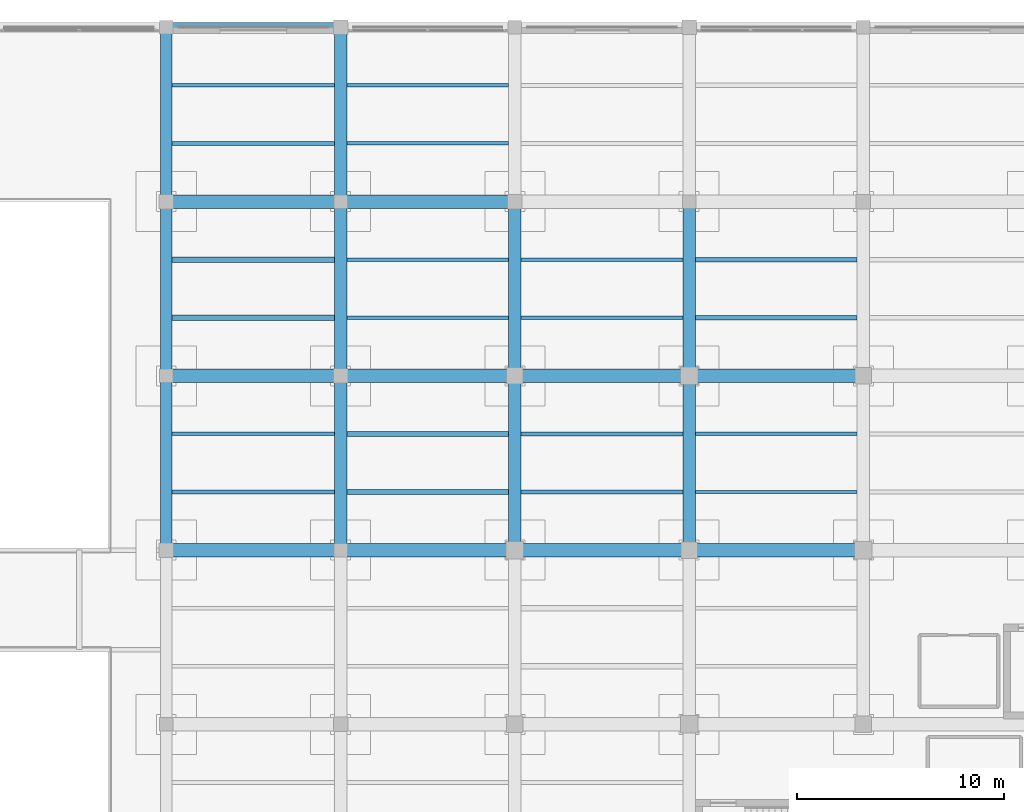
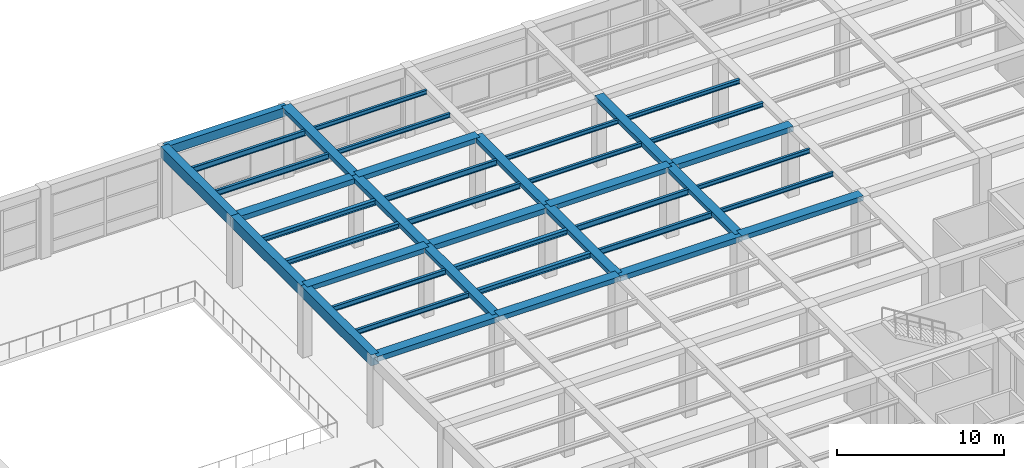
# One storey, part 47 of 96: 41 beams.
"""IFC4 building model written with IfcOpenShell, lengths in metres."""

from ifc_helpers import new_model, si_unit, direction, frame, origin, origin_2d, place, context, subcontext, project, spatial, rectangle, i_section, extrude, material, material_profile, profile_set, type_object, element, save


model = new_model("IFC4")

# Units and contexts
model_context = context("Model", 3, precision=1e-05, world=origin(), true_north=direction((0.0, 1.0)))
body_context = subcontext(model_context, "Body", "Model", "MODEL_VIEW")
ifc_project = project(units=[si_unit("LENGTHUNIT", "METRE"), si_unit("AREAUNIT", "SQUARE_METRE"), si_unit("VOLUMEUNIT", "CUBIC_METRE"), si_unit("PLANEANGLEUNIT", "RADIAN"), si_unit("MASSUNIT", "GRAM", prefix="KILO")], contexts=[model_context])

# Site, building, storey
site_placement = place(None, origin())
site = spatial("IfcSite", under=ifc_project, at=site_placement, CompositionType="ELEMENT")
building_placement = place(site_placement, origin())
building = spatial("IfcBuilding", under=site, at=building_placement, Name="Almacenes y Pasaje Nevantli", CompositionType="ELEMENT")
storey_placement = place(building_placement, frame((0.0, 0.0, 6.0)))
storey = spatial("IfcBuildingStorey", under=building, at=storey_placement, Name="L02", CompositionType="ELEMENT", Elevation=6.0)

# Beams
ifc_material_1 = material(Name="Concrete C35/45", Category="concrete")
ifc_material_profile_1 = material_profile(ifc_material_1, rectangle(XDim=0.449951171875, YDim=0.64990234375, at=origin_2d()), Name="RC-BM-450x650")
ifc_profile_set_1 = profile_set([ifc_material_profile_1], Name="Concrete C35/45")
beam_type_1 = type_object("IfcBeamType", Name="BM-RC-450x650", PredefinedType="SPANDREL", material=ifc_profile_set_1)
beam_1_placement = place(storey_placement, frame((92.39990234375, 117.60009765625, 4.77490234375), z_axis=(1.0, 0.0, 0.0), x_axis=(0.0, 1.0, 0.0)))
element("IfcBeam", 1, at=beam_1_placement, inside=storey, type_object=beam_type_1, Name="L02 East-West Reinforced Concrete Beam #1957", PredefinedType="SPANDREL", context=body_context, shape_type="SweptSolid", body=[
    extrude(rectangle(XDim=0.449951171875, YDim=0.64990234375, at=origin_2d()), origin(), (0.0, 0.0, 1.0), 8.400146484375),
])
ifc_material_2 = material(Name="Concrete C35/45", Category="concrete")
ifc_material_profile_2 = material_profile(ifc_material_2, rectangle(XDim=0.550048828125, YDim=0.800048828125, at=origin_2d()), Name="RC-BM-550x800")
ifc_profile_set_2 = profile_set([ifc_material_profile_2], Name="Concrete C35/45")
beam_type_2 = type_object("IfcBeamType", Name="BM-RC-550x800", PredefinedType="BEAM", material=ifc_profile_set_2)
beam_2_placement = place(storey_placement, frame((92.39990234375, 92.39990234375, 4.699951171875), z_axis=(0.0, 1.0, 0.0), x_axis=(-1.0, 0.0, 0.0)))
element("IfcBeam", 2, at=beam_2_placement, inside=storey, type_object=beam_type_2, Name="L02 North-South Reinforced Concrete Beam #2080", PredefinedType="BEAM", context=body_context, shape_type="SweptSolid", body=[
    extrude(rectangle(XDim=0.550048828125, YDim=0.800048828125, at=origin_2d()), origin(), (0.0, 0.0, 1.0), 8.400146484375),
])
beam_3_placement = place(storey_placement, frame((92.39990234375, 100.800048828125, 4.699951171875), z_axis=(0.0, 1.0, 0.0), x_axis=(-1.0, 0.0, 0.0)))
element("IfcBeam", 3, at=beam_3_placement, inside=storey, type_object=beam_type_2, Name="L02 North-South Reinforced Concrete Beam #2081", PredefinedType="BEAM", context=body_context, shape_type="SweptSolid", body=[
    extrude(rectangle(XDim=0.550048828125, YDim=0.800048828125, at=origin_2d()), origin(), (0.0, 0.0, 1.0), 8.39990234375),
])
beam_4_placement = place(storey_placement, frame((92.39990234375, 109.199951171875, 4.699951171875), z_axis=(0.0, 1.0, 0.0), x_axis=(-1.0, 0.0, 0.0)))
element("IfcBeam", 4, at=beam_4_placement, inside=storey, type_object=beam_type_2, Name="L02 North-South Reinforced Concrete Beam #2082", PredefinedType="BEAM", context=body_context, shape_type="SweptSolid", body=[
    extrude(rectangle(XDim=0.550048828125, YDim=0.800048828125, at=origin_2d()), origin(), (0.0, 0.0, 1.0), 8.400146484375),
])
ifc_material_3 = material(Name="Concrete C35/45", Category="concrete")
ifc_material_profile_3 = material_profile(ifc_material_3, rectangle(XDim=0.60009765625, YDim=0.320068359375, at=origin_2d()), Name="RC-BM-600x320")
ifc_profile_set_3 = profile_set([ifc_material_profile_3], Name="Concrete C35/45")
beam_type_3 = type_object("IfcBeamType", Name="BM-RC-600x320", PredefinedType="BEAM", material=ifc_profile_set_3)
for number, where, z_axis, x_axis, name in (
    (5, (100.800048828125, 92.39990234375, 4.93994140625), (0.0, 1.0, 0.0), (-1.0, 0.0, 0.0), "L02 North-South Reinforced Concrete Beam #2093"),
    (6, (100.800048828125, 109.199951171875, 4.93994140625), (0.0, 1.0, 0.0), (-1.0, 0.0, 0.0), "L02 North-South Reinforced Concrete Beam #2095"),
):
    element("IfcBeam", number, at=place(storey_placement, frame(where, z_axis=z_axis, x_axis=x_axis)), inside=storey, type_object=beam_type_3, Name=name, PredefinedType="BEAM", context=body_context, shape_type="SweptSolid", body=[
        extrude(rectangle(XDim=0.60009765625, YDim=0.320068359375, at=origin_2d()), origin(), (0.0, 0.0, 1.0), 8.400146484375),
    ])
beam_5_placement = place(storey_placement, frame((109.199951171875, 100.800048828125, 4.93994140625), z_axis=(0.0, 1.0, 0.0), x_axis=(-1.0, 0.0, 0.0)))
element("IfcBeam", 7, at=beam_5_placement, inside=storey, type_object=beam_type_3, Name="L02 North-South Reinforced Concrete Beam #2107", PredefinedType="BEAM", context=body_context, shape_type="SweptSolid", body=[
    extrude(rectangle(XDim=0.60009765625, YDim=0.320068359375, at=origin_2d()), origin(), (0.0, 0.0, 1.0), 8.39990234375),
])
beam_6_placement = place(storey_placement, frame((117.60009765625, 92.39990234375, 4.93994140625), z_axis=(0.0, 1.0, 0.0), x_axis=(-1.0, 0.0, 0.0)))
element("IfcBeam", 8, at=beam_6_placement, inside=storey, type_object=beam_type_3, Name="L02 North-South Reinforced Concrete Beam #2120", PredefinedType="BEAM", context=body_context, shape_type="SweptSolid", body=[
    extrude(rectangle(XDim=0.60009765625, YDim=0.320068359375, at=origin_2d()), origin(), (0.0, 0.0, 1.0), 8.400146484375),
])
ifc_material_4 = material(Name="Concrete C35/45", Category="concrete")
ifc_material_profile_4 = material_profile(ifc_material_4, rectangle(XDim=0.60009765625, YDim=0.340087890625, at=origin_2d()), Name="RC-BM-600x340")
ifc_profile_set_4 = profile_set([ifc_material_profile_4], Name="Concrete C35/45")
beam_type_4 = type_object("IfcBeamType", Name="BM-RC-600x340", PredefinedType="BEAM", material=ifc_profile_set_4)
beam_7_placement = place(storey_placement, frame((100.800048828125, 100.800048828125, 4.929931640625), z_axis=(0.0, 1.0, 0.0), x_axis=(-1.0, 0.0, 0.0)))
element("IfcBeam", 9, at=beam_7_placement, inside=storey, type_object=beam_type_4, Name="L02 North-South Reinforced Concrete Beam #2094", PredefinedType="BEAM", context=body_context, shape_type="SweptSolid", body=[
    extrude(rectangle(XDim=0.60009765625, YDim=0.340087890625, at=origin_2d()), origin(), (0.0, 0.0, 1.0), 8.39990234375),
])
beam_8_placement = place(storey_placement, frame((109.199951171875, 92.39990234375, 4.929931640625), z_axis=(0.0, 1.0, 0.0), x_axis=(-1.0, 0.0, 0.0)))
element("IfcBeam", 10, at=beam_8_placement, inside=storey, type_object=beam_type_4, Name="L02 North-South Reinforced Concrete Beam #2106", PredefinedType="BEAM", context=body_context, shape_type="SweptSolid", body=[
    extrude(rectangle(XDim=0.60009765625, YDim=0.340087890625, at=origin_2d()), origin(), (0.0, 0.0, 1.0), 8.400146484375),
])
beam_9_placement = place(storey_placement, frame((117.60009765625, 100.800048828125, 4.929931640625), z_axis=(0.0, 1.0, 0.0), x_axis=(-1.0, 0.0, 0.0)))
element("IfcBeam", 11, at=beam_9_placement, inside=storey, type_object=beam_type_4, Name="L02 North-South Reinforced Concrete Beam #2121", PredefinedType="BEAM", context=body_context, shape_type="SweptSolid", body=[
    extrude(rectangle(XDim=0.60009765625, YDim=0.340087890625, at=origin_2d()), origin(), (0.0, 0.0, 1.0), 8.39990234375),
])
ifc_material_5 = material(Name="Concrete C35/45", Category="concrete")
ifc_material_profile_5 = material_profile(ifc_material_5, rectangle(XDim=0.64990234375, YDim=0.35009765625, at=origin_2d()), Name="RC-BM-650x350")
ifc_profile_set_5 = profile_set([ifc_material_profile_5], Name="Concrete C35/45")
beam_type_5 = type_object("IfcBeamType", Name="BM-RC-650x350", PredefinedType="BEAM", material=ifc_profile_set_5)
for number, where, z_axis, x_axis, name in (
    (12, (100.800048828125, 92.39990234375, 4.925048828125), (1.0, 0.0, 0.0), (0.0, 1.0, 0.0), "L02 East-West Reinforced Concrete Beam #1904"),
    (13, (117.60009765625, 92.39990234375, 4.925048828125), (1.0, 0.0, 0.0), (0.0, 1.0, 0.0), "L02 East-West Reinforced Concrete Beam #1906"),
):
    element("IfcBeam", number, at=place(storey_placement, frame(where, z_axis=z_axis, x_axis=x_axis)), inside=storey, type_object=beam_type_5, Name=name, PredefinedType="BEAM", context=body_context, shape_type="SweptSolid", body=[
        extrude(rectangle(XDim=0.64990234375, YDim=0.35009765625, at=origin_2d()), origin(), (0.0, 0.0, 1.0), 8.39990234375),
    ])
for number, where, z_axis, x_axis, name in (
    (14, (92.39990234375, 100.800048828125, 4.925048828125), (1.0, 0.0, 0.0), (0.0, 1.0, 0.0), "L02 East-West Reinforced Concrete Beam #1920"),
    (15, (109.199951171875, 100.800048828125, 4.925048828125), (1.0, 0.0, 0.0), (0.0, 1.0, 0.0), "L02 East-West Reinforced Concrete Beam #1922"),
):
    element("IfcBeam", number, at=place(storey_placement, frame(where, z_axis=z_axis, x_axis=x_axis)), inside=storey, type_object=beam_type_5, Name=name, PredefinedType="BEAM", context=body_context, shape_type="SweptSolid", body=[
        extrude(rectangle(XDim=0.64990234375, YDim=0.35009765625, at=origin_2d()), origin(), (0.0, 0.0, 1.0), 8.400146484375),
    ])
beam_10_placement = place(storey_placement, frame((100.800048828125, 109.199951171875, 4.925048828125), z_axis=(1.0, 0.0, 0.0), x_axis=(0.0, 1.0, 0.0)))
element("IfcBeam", 16, at=beam_10_placement, inside=storey, type_object=beam_type_5, Name="L02 East-West Reinforced Concrete Beam #1938", PredefinedType="BEAM", context=body_context, shape_type="SweptSolid", body=[
    extrude(rectangle(XDim=0.64990234375, YDim=0.35009765625, at=origin_2d()), origin(), (0.0, 0.0, 1.0), 8.39990234375),
])
ifc_material_6 = material(Name="Concrete C35/45", Category="concrete")
ifc_material_profile_6 = material_profile(ifc_material_6, rectangle(XDim=0.64990234375, YDim=0.3798828125, at=origin_2d()), Name="RC-BM-650x380")
ifc_profile_set_6 = profile_set([ifc_material_profile_6], Name="Concrete C35/45")
beam_type_6 = type_object("IfcBeamType", Name="BM-RC-650x380", PredefinedType="BEAM", material=ifc_profile_set_6)
for number, where, z_axis, x_axis, name in (
    (17, (92.39990234375, 92.39990234375, 4.909912109375), (1.0, 0.0, 0.0), (0.0, 1.0, 0.0), "L02 East-West Reinforced Concrete Beam #1903"),
    (18, (109.199951171875, 92.39990234375, 4.909912109375), (1.0, 0.0, 0.0), (0.0, 1.0, 0.0), "L02 East-West Reinforced Concrete Beam #1905"),
):
    element("IfcBeam", number, at=place(storey_placement, frame(where, z_axis=z_axis, x_axis=x_axis)), inside=storey, type_object=beam_type_6, Name=name, PredefinedType="BEAM", context=body_context, shape_type="SweptSolid", body=[
        extrude(rectangle(XDim=0.64990234375, YDim=0.3798828125, at=origin_2d()), origin(), (0.0, 0.0, 1.0), 8.400146484375),
    ])
for number, where, z_axis, x_axis, name in (
    (19, (100.800048828125, 100.800048828125, 4.909912109375), (1.0, 0.0, 0.0), (0.0, 1.0, 0.0), "L02 East-West Reinforced Concrete Beam #1921"),
    (20, (117.60009765625, 100.800048828125, 4.909912109375), (1.0, 0.0, 0.0), (0.0, 1.0, 0.0), "L02 East-West Reinforced Concrete Beam #1923"),
):
    element("IfcBeam", number, at=place(storey_placement, frame(where, z_axis=z_axis, x_axis=x_axis)), inside=storey, type_object=beam_type_6, Name=name, PredefinedType="BEAM", context=body_context, shape_type="SweptSolid", body=[
        extrude(rectangle(XDim=0.64990234375, YDim=0.3798828125, at=origin_2d()), origin(), (0.0, 0.0, 1.0), 8.39990234375),
    ])
beam_11_placement = place(storey_placement, frame((92.39990234375, 109.199951171875, 4.909912109375), z_axis=(1.0, 0.0, 0.0), x_axis=(0.0, 1.0, 0.0)))
element("IfcBeam", 21, at=beam_11_placement, inside=storey, type_object=beam_type_6, Name="L02 East-West Reinforced Concrete Beam #1937", PredefinedType="BEAM", context=body_context, shape_type="SweptSolid", body=[
    extrude(rectangle(XDim=0.64990234375, YDim=0.3798828125, at=origin_2d()), origin(), (0.0, 0.0, 1.0), 8.400146484375),
])
ifc_material_7 = material(Name="Steel ASTM A992", Category="steel")
ifc_material_profile_7 = material_profile(ifc_material_7, i_section(OverallWidth=0.1650390625, OverallDepth=0.306884765625, WebThickness=0.006591796875, FlangeThickness=0.01025390625, at=origin_2d()), Name="IR 305x44.6")
ifc_profile_set_7 = profile_set([ifc_material_profile_7], Name="Steel ASTM A992")
beam_type_7 = type_object("IfcBeamType", Name="BM-STL-IR-305x44p6", PredefinedType="JOIST", material=ifc_profile_set_7)
for number, where, z_axis, x_axis, name in (
    (22, (101.10009765625, 112.0, 4.9384765625), (1.0, 0.0, 0.0), (0.0, 1.0, 0.0), "L02 Secondary Steel Floor Joist #505"),
    (23, (101.10009765625, 114.800048828125, 4.9384765625), (1.0, 0.0, 0.0), (0.0, 1.0, 0.0), "L02 Secondary Steel Floor Joist #506"),
):
    element("IfcBeam", number, at=place(storey_placement, frame(where, z_axis=z_axis, x_axis=x_axis)), inside=storey, type_object=beam_type_7, Name=name, PredefinedType="JOIST", context=body_context, shape_type="SweptSolid", body=[
        extrude(i_section(OverallWidth=0.1650390625, OverallDepth=0.306884765625, WebThickness=0.006591796875, FlangeThickness=0.01025390625, at=origin_2d()), origin(), (0.0, 0.0, 1.0), 7.7998046875),
    ])
for number, where, z_axis, x_axis, name in (
    (24, (109.5, 103.60009765625, 4.9384765625), (1.0, 0.0, 0.0), (0.0, 1.0, 0.0), "L02 Secondary Steel Floor Joist #529"),
    (25, (109.5, 106.39990234375, 4.9384765625), (1.0, 0.0, 0.0), (0.0, 1.0, 0.0), "L02 Secondary Steel Floor Joist #530"),
    (26, (117.89990234375, 95.199951171875, 4.9384765625), (1.0, 0.0, 0.0), (0.0, 1.0, 0.0), "L02 Secondary Steel Floor Joist #551"),
    (27, (117.89990234375, 98.0, 4.9384765625), (1.0, 0.0, 0.0), (0.0, 1.0, 0.0), "L02 Secondary Steel Floor Joist #552"),
):
    element("IfcBeam", number, at=place(storey_placement, frame(where, z_axis=z_axis, x_axis=x_axis)), inside=storey, type_object=beam_type_7, Name=name, PredefinedType="JOIST", context=body_context, shape_type="SweptSolid", body=[
        extrude(i_section(OverallWidth=0.1650390625, OverallDepth=0.306884765625, WebThickness=0.006591796875, FlangeThickness=0.01025390625, at=origin_2d()), origin(), (0.0, 0.0, 1.0), 7.800048828125),
    ])
ifc_material_8 = material(Name="Steel ASTM A992", Category="steel")
ifc_material_profile_8 = material_profile(ifc_material_8, i_section(OverallWidth=0.202880859375, OverallDepth=0.304931640625, WebThickness=0.007568359375, FlangeThickness=0.01318359375, at=origin_2d()), Name="IR 305x59.5")
ifc_profile_set_8 = profile_set([ifc_material_profile_8], Name="Steel ASTM A992")
beam_type_8 = type_object("IfcBeamType", Name="BM-STL-IR-305x59p5", PredefinedType="JOIST", material=ifc_profile_set_8)
for number, where, z_axis, x_axis, name in (
    (28, (117.89990234375, 103.60009765625, 4.939453125), (1.0, 0.0, 0.0), (0.0, 1.0, 0.0), "L02 Secondary Steel Floor Joist #553"),
    (29, (117.89990234375, 106.39990234375, 4.939453125), (1.0, 0.0, 0.0), (0.0, 1.0, 0.0), "L02 Secondary Steel Floor Joist #554"),
):
    element("IfcBeam", number, at=place(storey_placement, frame(where, z_axis=z_axis, x_axis=x_axis)), inside=storey, type_object=beam_type_8, Name=name, PredefinedType="JOIST", context=body_context, shape_type="SweptSolid", body=[
        extrude(i_section(OverallWidth=0.202880859375, OverallDepth=0.304931640625, WebThickness=0.007568359375, FlangeThickness=0.01318359375, at=origin_2d()), origin(), (0.0, 0.0, 1.0), 7.800048828125),
    ])
ifc_material_9 = material(Name="Steel ASTM A992", Category="steel")
ifc_material_profile_9 = material_profile(ifc_material_9, i_section(OverallWidth=0.173095703125, OverallDepth=0.364013671875, WebThickness=0.009033203125, FlangeThickness=0.015625, at=origin_2d()), Name="IR 356x67.0")
ifc_profile_set_9 = profile_set([ifc_material_profile_9], Name="Steel ASTM A992")
beam_type_9 = type_object("IfcBeamType", Name="BM-STL-IR-356x67p0", PredefinedType="JOIST", material=ifc_profile_set_9)
for number, where, z_axis, x_axis, name in (
    (30, (92.675048828125, 95.199951171875, 4.909912109375), (1.0, 0.0, 0.0), (0.0, 1.0, 0.0), "L02 Secondary Steel Floor Joist #477"),
    (31, (92.675048828125, 98.0, 4.909912109375), (1.0, 0.0, 0.0), (0.0, 1.0, 0.0), "L02 Secondary Steel Floor Joist #478"),
):
    element("IfcBeam", number, at=place(storey_placement, frame(where, z_axis=z_axis, x_axis=x_axis)), inside=storey, type_object=beam_type_9, Name=name, PredefinedType="JOIST", context=body_context, shape_type="SweptSolid", body=[
        extrude(i_section(OverallWidth=0.173095703125, OverallDepth=0.364013671875, WebThickness=0.009033203125, FlangeThickness=0.015625, at=origin_2d()), origin(), (0.0, 0.0, 1.0), 7.824951171875),
    ])
ifc_material_10 = material(Name="Steel ASTM A992", Category="steel")
ifc_material_profile_10 = material_profile(ifc_material_10, i_section(OverallWidth=0.25390625, OverallDepth=0.35595703125, WebThickness=0.009521484375, FlangeThickness=0.016357421875, at=origin_2d()), Name="IR 356x79.0")
ifc_profile_set_10 = profile_set([ifc_material_profile_10], Name="Steel ASTM A992")
beam_type_10 = type_object("IfcBeamType", Name="BM-STL-IR-356x79p0", PredefinedType="JOIST", material=ifc_profile_set_10)
for number, where, z_axis, x_axis, name in (
    (32, (92.675048828125, 103.60009765625, 4.9140625), (1.0, 0.0, 0.0), (0.0, 1.0, 0.0), "L02 Secondary Steel Floor Joist #479"),
    (33, (92.675048828125, 106.39990234375, 4.9140625), (1.0, 0.0, 0.0), (0.0, 1.0, 0.0), "L02 Secondary Steel Floor Joist #480"),
):
    element("IfcBeam", number, at=place(storey_placement, frame(where, z_axis=z_axis, x_axis=x_axis)), inside=storey, type_object=beam_type_10, Name=name, PredefinedType="JOIST", context=body_context, shape_type="SweptSolid", body=[
        extrude(i_section(OverallWidth=0.25390625, OverallDepth=0.35595703125, WebThickness=0.009521484375, FlangeThickness=0.016357421875, at=origin_2d()), origin(), (0.0, 0.0, 1.0), 7.824951171875),
    ])
for number, where, z_axis, x_axis, name in (
    (34, (101.10009765625, 95.199951171875, 4.9140625), (1.0, 0.0, 0.0), (0.0, 1.0, 0.0), "L02 Secondary Steel Floor Joist #501"),
    (35, (101.10009765625, 98.0, 4.9140625), (1.0, 0.0, 0.0), (0.0, 1.0, 0.0), "L02 Secondary Steel Floor Joist #502"),
):
    element("IfcBeam", number, at=place(storey_placement, frame(where, z_axis=z_axis, x_axis=x_axis)), inside=storey, type_object=beam_type_10, Name=name, PredefinedType="JOIST", context=body_context, shape_type="SweptSolid", body=[
        extrude(i_section(OverallWidth=0.25390625, OverallDepth=0.35595703125, WebThickness=0.009521484375, FlangeThickness=0.016357421875, at=origin_2d()), origin(), (0.0, 0.0, 1.0), 7.7998046875),
    ])
ifc_material_11 = material(Name="Steel ASTM A992", Category="steel")
ifc_material_profile_11 = material_profile(ifc_material_11, i_section(OverallWidth=0.178955078125, OverallDepth=0.406005859375, WebThickness=0.0087890625, FlangeThickness=0.014404296875, at=origin_2d()), Name="IR 406x67.0")
ifc_profile_set_11 = profile_set([ifc_material_profile_11], Name="Steel ASTM A992")
beam_type_11 = type_object("IfcBeamType", Name="BM-STL-IR-406x67p0", PredefinedType="JOIST", material=ifc_profile_set_11)
for number, where, z_axis, x_axis, name in (
    (36, (92.675048828125, 112.0, 4.888916015625), (1.0, 0.0, 0.0), (0.0, 1.0, 0.0), "L02 Secondary Steel Floor Joist #481"),
    (37, (92.675048828125, 114.800048828125, 4.888916015625), (1.0, 0.0, 0.0), (0.0, 1.0, 0.0), "L02 Secondary Steel Floor Joist #482"),
):
    element("IfcBeam", number, at=place(storey_placement, frame(where, z_axis=z_axis, x_axis=x_axis)), inside=storey, type_object=beam_type_11, Name=name, PredefinedType="JOIST", context=body_context, shape_type="SweptSolid", body=[
        extrude(i_section(OverallWidth=0.178955078125, OverallDepth=0.406005859375, WebThickness=0.0087890625, FlangeThickness=0.014404296875, at=origin_2d()), origin(), (0.0, 0.0, 1.0), 7.824951171875),
    ])
for number, where, z_axis, x_axis, name in (
    (38, (101.10009765625, 103.60009765625, 4.888916015625), (1.0, 0.0, 0.0), (0.0, 1.0, 0.0), "L02 Secondary Steel Floor Joist #503"),
    (39, (101.10009765625, 106.39990234375, 4.888916015625), (1.0, 0.0, 0.0), (0.0, 1.0, 0.0), "L02 Secondary Steel Floor Joist #504"),
):
    element("IfcBeam", number, at=place(storey_placement, frame(where, z_axis=z_axis, x_axis=x_axis)), inside=storey, type_object=beam_type_11, Name=name, PredefinedType="JOIST", context=body_context, shape_type="SweptSolid", body=[
        extrude(i_section(OverallWidth=0.178955078125, OverallDepth=0.406005859375, WebThickness=0.0087890625, FlangeThickness=0.014404296875, at=origin_2d()), origin(), (0.0, 0.0, 1.0), 7.7998046875),
    ])
for number, where, z_axis, x_axis, name in (
    (40, (109.5, 95.199951171875, 4.888916015625), (1.0, 0.0, 0.0), (0.0, 1.0, 0.0), "L02 Secondary Steel Floor Joist #527"),
    (41, (109.5, 98.0, 4.888916015625), (1.0, 0.0, 0.0), (0.0, 1.0, 0.0), "L02 Secondary Steel Floor Joist #528"),
):
    element("IfcBeam", number, at=place(storey_placement, frame(where, z_axis=z_axis, x_axis=x_axis)), inside=storey, type_object=beam_type_11, Name=name, PredefinedType="JOIST", context=body_context, shape_type="SweptSolid", body=[
        extrude(i_section(OverallWidth=0.178955078125, OverallDepth=0.406005859375, WebThickness=0.0087890625, FlangeThickness=0.014404296875, at=origin_2d()), origin(), (0.0, 0.0, 1.0), 7.800048828125),
    ])

save(model, "model.ifc")
